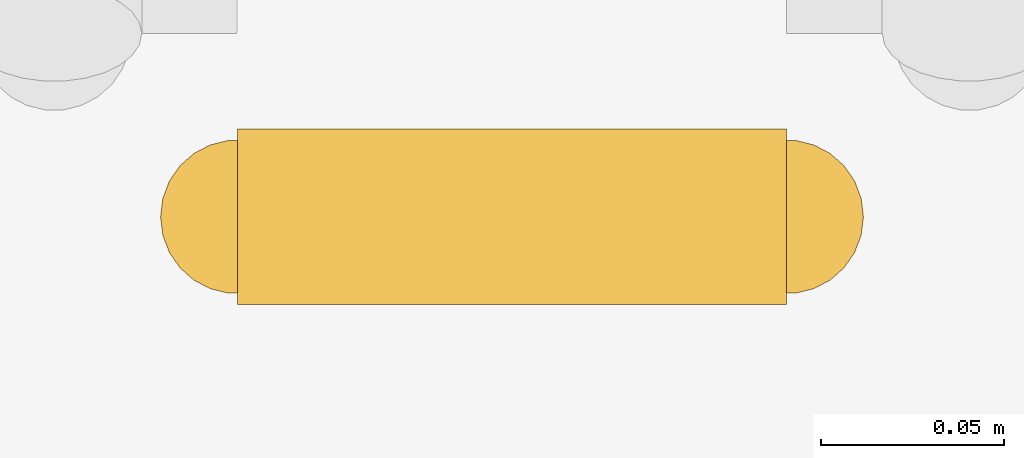
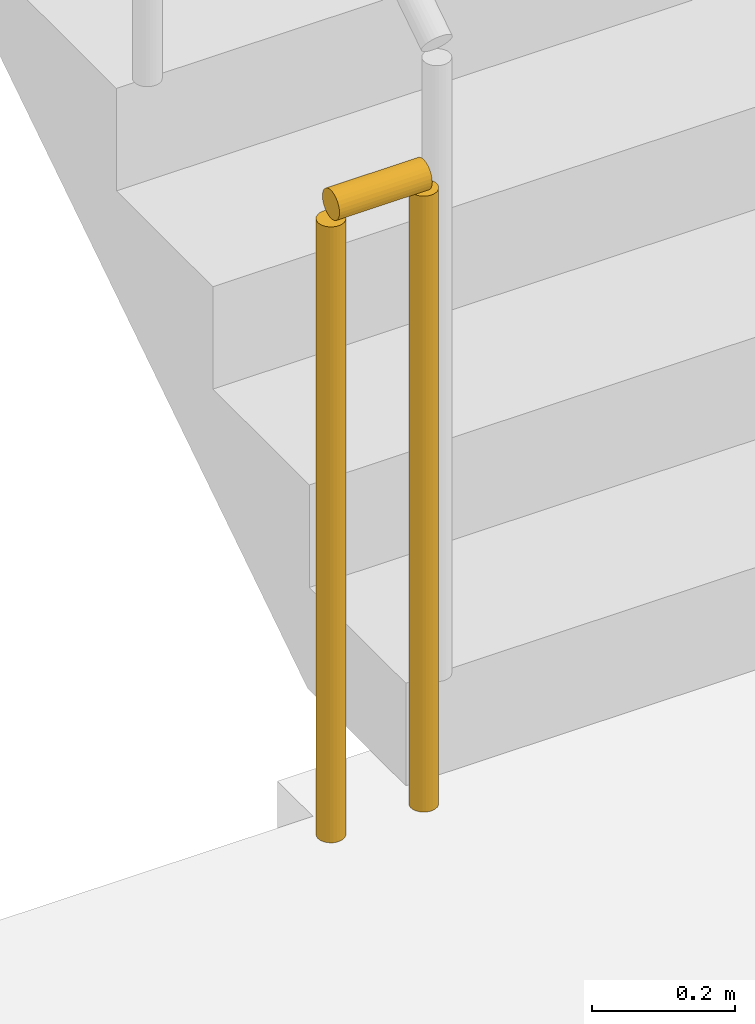
# One storey, part 15 of 20: 1 railing.
"""IFC4 building model written with IfcOpenShell, lengths in metres."""

from ifc_helpers import new_model, si_unit, direction, frame, origin, origin_2d, place, context, subcontext, project, spatial, circle, extrude, material, type_object, element, save


model = new_model("IFC4")

# Units and contexts
model_context = context("Model", 3, precision=1e-05, world=origin(), true_north=direction((0.0, 1.0)))
body_context = subcontext(model_context, "Body", "Model", "MODEL_VIEW")
ifc_project = project(units=[si_unit("LENGTHUNIT", "METRE"), si_unit("AREAUNIT", "SQUARE_METRE"), si_unit("VOLUMEUNIT", "CUBIC_METRE"), si_unit("PLANEANGLEUNIT", "RADIAN"), si_unit("MASSUNIT", "GRAM", prefix="KILO")], contexts=[model_context])

# Site, building, storey
site_placement = place(None, origin())
site = spatial("IfcSite", under=ifc_project, at=site_placement, CompositionType="ELEMENT")
building_placement = place(site_placement, origin())
building = spatial("IfcBuilding", under=site, at=building_placement, Name="Saffron Iwan Residences", CompositionType="ELEMENT")
storey_placement = place(building_placement, frame((0.0, 0.0, 192.0)))
storey = spatial("IfcBuildingStorey", under=building, at=storey_placement, Name="L51", CompositionType="ELEMENT", Elevation=192.0)

# Railing
ifc_material = material(Name="Steel S355", Category="steel")
railing_type = type_object("IfcRailingType", Name="Stair guard 1100", PredefinedType="GUARDRAIL", material=ifc_material)
railing_placement = place(storey_placement, frame((31.25, 67.800048828125, 0.0)))
element("IfcRailing", 1, at=railing_placement, inside=storey, type_object=railing_type, Name="L51 ST-W stair guard 2", PredefinedType="GUARDRAIL", context=body_context, shape_type="SweptSolid", body=[
    extrude(circle(Radius=0.02392578125, at=origin_2d()), frame((0.0, 0.0, 1.076171875), z_axis=(-1.0, 0.0, 0.0), x_axis=(0.0, -1.0, 0.0)), (0.0, 0.0, 1.0), 0.14990234375),
    extrude(circle(Radius=0.02099609375, at=origin_2d()), origin(), (0.0, 0.0, 1.0), 1.052001953125),
    extrude(circle(Radius=0.02099609375, at=origin_2d()), frame((-0.14990234375, 0.0, 0.0)), (0.0, 0.0, 1.0), 1.052001953125),
])

save(model, "model.ifc")
